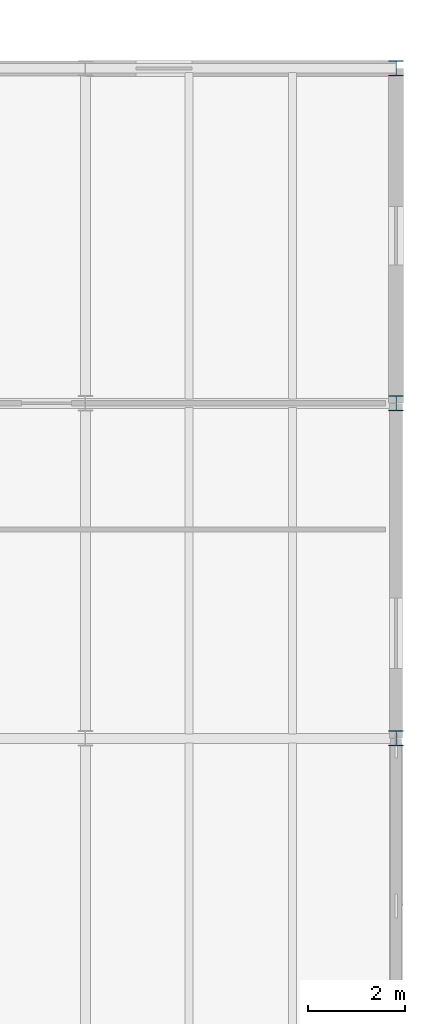
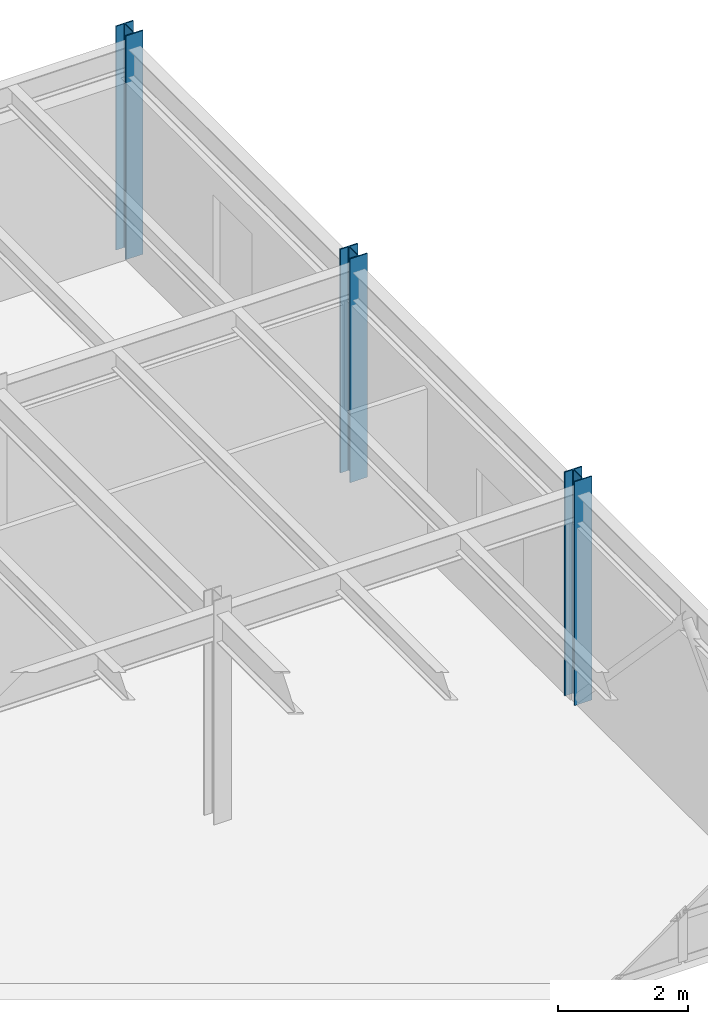
# One storey, part 21 of 144: 3 columns.
"""IFC4 building model written with IfcOpenShell, lengths in metres."""

from ifc_helpers import new_model, si_unit, direction, frame, origin, origin_2d, place, context, subcontext, project, spatial, i_section, extrude, material, material_profile, profile_set, type_object, element, save


model = new_model("IFC4")

# Units and contexts
model_context = context("Model", 3, precision=1e-05, world=origin(), true_north=direction((0.0, 1.0)))
body_context = subcontext(model_context, "Body", "Model", "MODEL_VIEW")
ifc_project = project(units=[si_unit("LENGTHUNIT", "METRE"), si_unit("AREAUNIT", "SQUARE_METRE"), si_unit("VOLUMEUNIT", "CUBIC_METRE"), si_unit("PLANEANGLEUNIT", "RADIAN"), si_unit("MASSUNIT", "GRAM", prefix="KILO")], contexts=[model_context])

# Site, building, storey
site_placement = place(None, origin())
site = spatial("IfcSite", under=ifc_project, at=site_placement, CompositionType="ELEMENT")
building_placement = place(site_placement, origin())
building = spatial("IfcBuilding", under=site, at=building_placement, Name="Trelmorton Wharf Fire Station", CompositionType="ELEMENT")
storey_placement = place(building_placement, frame((0.0, 0.0, 5.39990234375)))
storey = spatial("IfcBuildingStorey", under=building, at=storey_placement, Name="L01", CompositionType="ELEMENT", Elevation=5.39990234375)

# Columns
ifc_material = material(Name="Steel Grade 350", Category="steel")
ifc_material_profile = material_profile(ifc_material, i_section(OverallWidth=0.30908203125, OverallDepth=0.321044921875, WebThickness=0.013916015625, FlangeThickness=0.021728515625, FilletRadius=0.0166015625, at=origin_2d()), Name="310UC137")
ifc_profile_set = profile_set([ifc_material_profile], Name="Steel Grade 350")
column_type = type_object("IfcColumnType", Name="COL_310UC137", PredefinedType="COLUMN", material=ifc_profile_set)
for number, where, z_axis, x_axis, name in (
    (1, (162.39990234375, 67.199951171875, 0.0), (0.0, 0.0, 1.0), (1.0, 0.0, 0.0), "COL-L01-0458"),
    (2, (162.39990234375, 74.10009765625, 0.0), (0.0, 0.0, 1.0), (1.0, 0.0, 0.0), "COL-L01-0459"),
    (3, (162.39990234375, 81.0, 0.0), (0.0, 0.0, 1.0), (1.0, 0.0, 0.0), "COL-L01-0460"),
):
    element("IfcColumn", number, at=place(storey_placement, frame(where, z_axis=z_axis, x_axis=x_axis)), inside=storey, type_object=column_type, Name=name, PredefinedType="COLUMN", context=body_context, shape_type="SweptSolid", body=[
        extrude(i_section(OverallWidth=0.30908203125, OverallDepth=0.321044921875, WebThickness=0.013916015625, FlangeThickness=0.021728515625, FilletRadius=0.0166015625, at=origin_2d()), origin(), (0.0, 0.0, 1.0), 4.2001953125),
    ])

save(model, "model.ifc")
